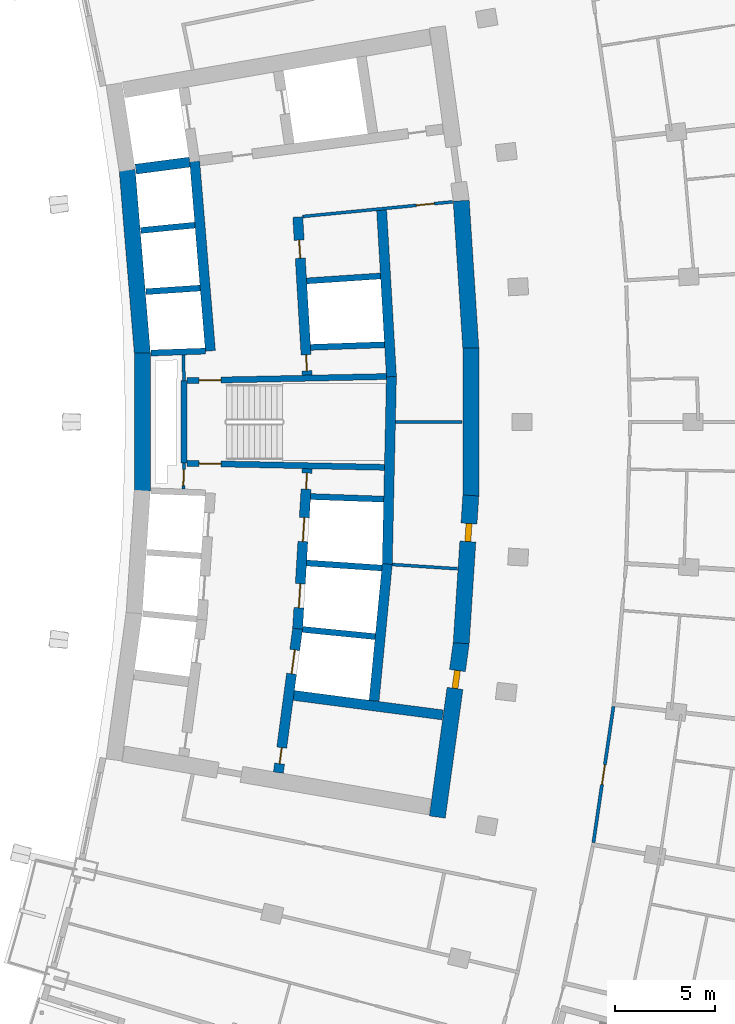
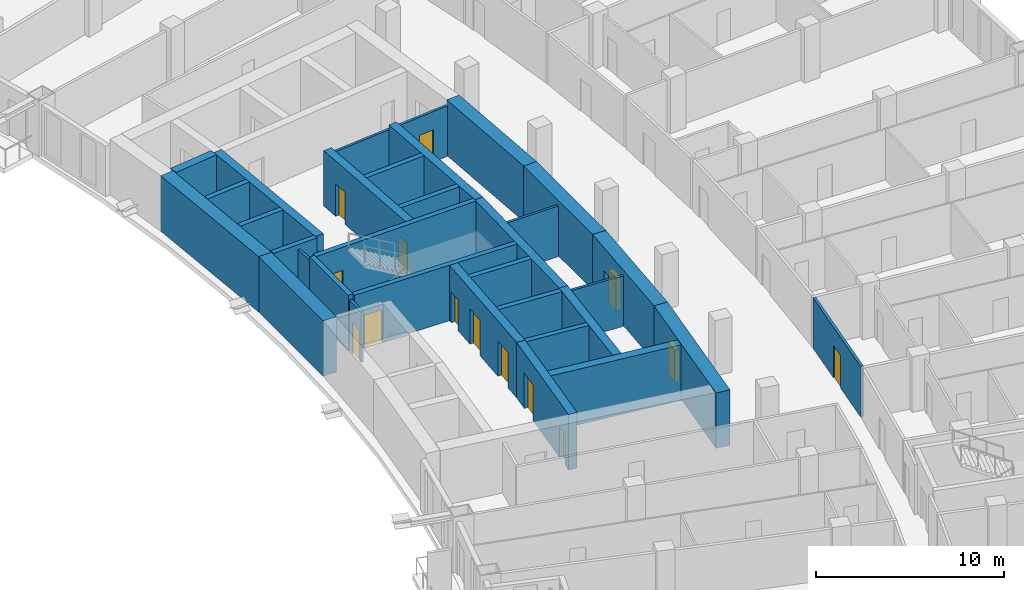
# One storey, part 13 of 23: 32 walls, 14 doors, 14 openings.
"""IFC4 building model written with IfcOpenShell, lengths in metres."""

from ifc_helpers import new_model, si_unit, direction, frame, frame_2d, origin, place, context, subcontext, project, spatial, rectangle, extrude, material, layer, layer_set, type_object, element, fill, save


model = new_model("IFC4")

# Units and contexts
model_context = context("Model", 3, precision=1e-05, world=origin(), true_north=direction((0.0, 1.0)))
body_context = subcontext(model_context, "Body", "Model", "MODEL_VIEW")
ifc_project = project(units=[si_unit("LENGTHUNIT", "METRE"), si_unit("AREAUNIT", "SQUARE_METRE"), si_unit("VOLUMEUNIT", "CUBIC_METRE"), si_unit("PLANEANGLEUNIT", "RADIAN"), si_unit("MASSUNIT", "GRAM", prefix="KILO")], contexts=[model_context])

# Site, building, storey
site_placement = place(None, origin())
site = spatial("IfcSite", under=ifc_project, at=site_placement, CompositionType="ELEMENT")
building_placement = place(site_placement, origin())
building = spatial("IfcBuilding", under=site, at=building_placement, Name="Alderwake Tower", CompositionType="ELEMENT")
storey_placement = place(building_placement, frame((0.0, 0.0, 100.39990234375)))
storey = spatial("IfcBuildingStorey", under=building, at=storey_placement, Name="L24", CompositionType="ELEMENT", Elevation=100.39990234375)

# Wall, opening, door
ifc_material_1 = material(Name="Gypsum shaft wall system, rated")
ifc_layer_1 = layer(ifc_material_1, 0.14990234375)
ifc_layer_set_1 = layer_set([ifc_layer_1], Name="Core room partition 150")
wall_type_1 = type_object("IfcWallType", Name="Core room partition 150", PredefinedType="PARTITIONING", material=ifc_layer_set_1)
wall_1_placement = place(storey_placement, frame((18.918701171875, 58.94384765625, 0.0), z_axis=(0.0, 0.0, 1.0), x_axis=(-0.027348257573, -0.999625966453, 0.0)))
wall_1 = element("IfcWall", 1, at=wall_1_placement, inside=storey, type_object=wall_type_1, Name="CW/L24/PA+24_-37", PredefinedType="PARTITIONING", context=body_context, shape_type="SweptSolid", body=[
    extrude(rectangle(XDim=1.29443359375, YDim=0.14990234375, at=frame_2d((0.647216796875, 0.0))), origin(), (0.0, 0.0, 1.0), 3.280029296875),
])
opening_1_placement = place(wall_1_placement, frame((0.322998046875, 0.0, 0.0)))
opening_1 = element("IfcOpeningElement", 2, at=opening_1_placement, cuts=wall_1, Name="Opening C004", PredefinedType="OPENING", context=body_context, shape_type="SweptSolid", body=[
    extrude(rectangle(XDim=0.800048828125, YDim=2.0, at=frame_2d((0.39990234375, 1.0))), frame((0.0, 0.0849609375, 0.0), z_axis=(0.0, -1.0, 0.0), x_axis=(1.0, 0.0, 0.0)), (0.0, 0.0, 1.0), 0.169921875),
])
ifc_material_2 = material(Name="Painted steel leaf, rated", Category="steel")
door_type_1 = type_object("IfcDoorType", Name="Riser access door 800", OperationType="SINGLE_SWING_LEFT", PredefinedType="DOOR", material=ifc_material_2)
door_1_placement = place(opening_1_placement, origin())
door_1 = element("IfcDoor", 3, at=door_1_placement, inside=storey, type_object=door_type_1, Name="Riser access door", OperationType="SINGLE_SWING_RIGHT", OverallHeight=2.0, OverallWidth=0.800048828125, PredefinedType="DOOR", context=body_context, shape_type="SweptSolid", body=[
    extrude(rectangle(XDim=0.800048828125, YDim=2.0, at=frame_2d((0.39990234375, 1.0))), frame((0.0, 0.02490234375, 0.0), z_axis=(0.0, -1.0, 0.0), x_axis=(1.0, 0.0, 0.0)), (0.0, 0.0, 1.0), 0.050048828125),
])
fill(opening_1, door_1)

# Walls
wall_2_placement = place(storey_placement, frame((18.918701171875, 63.05517578125, 0.0), z_axis=(0.0, 0.0, 1.0), x_axis=(-0.027327648352, 0.999626530078, 0.0)))
element("IfcWall", 4, at=wall_2_placement, inside=storey, type_object=wall_type_1, Name="CW/L24/PA+24_+22", PredefinedType="PARTITIONING", context=body_context, shape_type="SweptSolid", body=[
    extrude(rectangle(XDim=1.29541015625, YDim=0.14990234375, at=frame_2d((0.647705078125, 0.0))), origin(), (0.0, 0.0, 1.0), 3.280029296875),
])
wall_3_placement = place(storey_placement, frame((29.318603515625, 53.88134765625, 0.0), z_axis=(0.0, 0.0, 1.0), x_axis=(0.997885072108, -0.065002945035, 0.0)))
element("IfcWall", 5, at=wall_3_placement, inside=storey, type_object=wall_type_1, Name="CW/L24/PR-68_+128", PredefinedType="PARTITIONING", context=body_context, shape_type="SweptSolid", body=[
    extrude(rectangle(XDim=3.260009765625, YDim=0.14990234375, at=frame_2d((1.6298828125, 0.0))), origin(), (0.0, 0.0, 1.0), 3.280029296875),
])
wall_4_placement = place(storey_placement, frame((29.47607421875, 61.0, 0.0), z_axis=(0.0, 0.0, 1.0), x_axis=(1.0, 0.0, 0.0)))
element("IfcWall", 6, at=wall_4_placement, inside=storey, type_object=wall_type_1, Name="CW/L24/PR+0_+128", PredefinedType="PARTITIONING", context=body_context, shape_type="SweptSolid", body=[
    extrude(rectangle(XDim=3.333984375, YDim=0.14990234375, at=frame_2d((1.6669921875, 0.0))), origin(), (0.0, 0.0, 1.0), 3.280029296875),
])

# Wall, opening, door
wall_5_placement = place(storey_placement, frame((32.333251953125, 71.991943359375, 0.0), z_axis=(0.0, 0.0, 1.0), x_axis=(-0.995248348328, -0.097369015353, 0.0)))
wall_5 = element("IfcWall", 7, at=wall_5_placement, inside=storey, type_object=wall_type_1, Name="CW/L24/PR+102_+86", PredefinedType="PARTITIONING", context=body_context, shape_type="SweptSolid", body=[
    extrude(rectangle(XDim=7.51953125, YDim=0.14990234375, at=frame_2d((3.759765625, 0.0))), origin(), (0.0, 0.0, 1.0), 3.280029296875),
])
opening_2_placement = place(wall_5_placement, frame((0.919921875, 0.0, 0.0)))
opening_2 = element("IfcOpeningElement", 8, at=opening_2_placement, cuts=wall_5, Name="Opening C032", PredefinedType="OPENING", context=body_context, shape_type="SweptSolid", body=[
    extrude(rectangle(XDim=0.89990234375, YDim=2.10009765625, at=frame_2d((0.449951171875, 1.050048828125))), frame((0.0, 0.0849609375, 0.0), z_axis=(0.0, -1.0, 0.0), x_axis=(1.0, 0.0, 0.0)), (0.0, 0.0, 1.0), 0.169921875),
])
ifc_material_3 = material(Name="Painted steel leaf", Category="steel")
door_type_2 = type_object("IfcDoorType", Name="Core room door 900", OperationType="SINGLE_SWING_LEFT", PredefinedType="DOOR", material=ifc_material_3)
door_2_placement = place(opening_2_placement, origin())
door_2 = element("IfcDoor", 9, at=door_2_placement, inside=storey, type_object=door_type_2, Name="Room door", OperationType="SINGLE_SWING_RIGHT", OverallHeight=2.10009765625, OverallWidth=0.89990234375, PredefinedType="DOOR", context=body_context, shape_type="SweptSolid", body=[
    extrude(rectangle(XDim=0.89990234375, YDim=2.10009765625, at=frame_2d((0.449951171875, 1.050048828125))), frame((0.0, 0.02490234375, 0.0), z_axis=(0.0, -1.0, 0.0), x_axis=(1.0, 0.0, 0.0)), (0.0, 0.0, 1.0), 0.050048828125),
])
fill(opening_2, door_2)

# Walls
ifc_material_4 = material(Name="Concrete C70/85", Category="concrete")
ifc_layer_2 = layer(ifc_material_4, 0.800048828125)
ifc_layer_set_2 = layer_set([ifc_layer_2], Name="Core wall outer 800 C70-85")
wall_type_2 = type_object("IfcWallType", Name="Core wall outer 800 C70-85", PredefinedType="SHEAR", material=ifc_layer_set_2)
wall_6_placement = place(storey_placement, frame((16.83935546875, 57.558349609375, 0.0), z_axis=(0.0, 0.0, 1.0), x_axis=(0.0, 1.0, 0.0)))
element("IfcWall", 10, at=wall_6_placement, inside=storey, type_object=wall_type_2, Name="Core wall CW.043", PredefinedType="SHEAR", context=body_context, shape_type="SweptSolid", body=[
    extrude(rectangle(XDim=6.886474609375, YDim=0.800048828125, at=frame_2d((3.443359375, 0.0))), origin(), (0.0, 0.0, 1.0), 3.60009765625),
])
wall_7_placement = place(storey_placement, frame((16.8408203125, 64.410888671875, 0.0), z_axis=(0.0, 0.0, 1.0), x_axis=(-0.082619502339, 0.996581164699, 0.0)))
element("IfcWall", 11, at=wall_7_placement, inside=storey, type_object=wall_type_2, Name="Core wall CW.040", PredefinedType="SHEAR", context=body_context, shape_type="SweptSolid", body=[
    extrude(rectangle(XDim=9.201904296875, YDim=0.800048828125, at=frame_2d((4.60107421875, 0.0))), origin(), (0.0, 0.0, 1.0), 3.60009765625),
])

# Wall, opening, door
wall_8_placement = place(storey_placement, frame((32.763427734375, 49.980712890625, 0.0), z_axis=(0.0, 0.0, 1.0), x_axis=(-0.135838347444, -0.990731014637, 0.0)))
wall_8 = element("IfcWall", 12, at=wall_8_placement, inside=storey, type_object=wall_type_2, Name="Core wall CW.012", PredefinedType="SHEAR", context=body_context, shape_type="SweptSolid", body=[
    extrude(rectangle(XDim=8.788818359375, YDim=0.800048828125, at=frame_2d((4.39453125, 0.0))), origin(), (0.0, 0.0, 1.0), 3.60009765625),
])
opening_3_placement = place(wall_8_placement, frame((1.40576171875, 0.0, 0.0)))
opening_3 = element("IfcOpeningElement", 13, at=opening_3_placement, cuts=wall_8, Name="Opening C049", PredefinedType="OPENING", context=body_context, shape_type="SweptSolid", body=[
    extrude(rectangle(XDim=0.89990234375, YDim=2.10009765625, at=frame_2d((0.449951171875, 1.050048828125))), frame((0.0, 0.409912109375, 0.0), z_axis=(0.0, -1.0, 0.0), x_axis=(1.0, 0.0, 0.0)), (0.0, 0.0, 1.0), 0.820068359375),
])
door_3_placement = place(opening_3_placement, origin())
door_3 = element("IfcDoor", 14, at=door_3_placement, inside=storey, type_object=door_type_2, Name="Room door", OperationType="SINGLE_SWING_LEFT", OverallHeight=2.10009765625, OverallWidth=0.89990234375, PredefinedType="DOOR", context=body_context, shape_type="SweptSolid", body=[
    extrude(rectangle(XDim=0.89990234375, YDim=2.10009765625, at=frame_2d((0.449951171875, 1.050048828125))), frame((0.0, 0.14990234375, 0.0), z_axis=(0.0, -1.0, 0.0), x_axis=(1.0, 0.0, 0.0)), (0.0, 0.0, 1.0), 0.300048828125),
])
fill(opening_3, door_3)

wall_9_placement = place(storey_placement, frame((33.240966796875, 57.330322265625, 0.0), z_axis=(0.0, 0.0, 1.0), x_axis=(-0.064976219143, -0.997886812693, 0.0)))
wall_9 = element("IfcWall", 15, at=wall_9_placement, inside=storey, type_object=wall_type_2, Name="Core wall CW.011", PredefinedType="SHEAR", context=body_context, shape_type="SweptSolid", body=[
    extrude(rectangle(XDim=7.39453125, YDim=0.800048828125, at=frame_2d((3.697265625, 0.0))), origin(), (0.0, 0.0, 1.0), 3.60009765625),
])
opening_4_placement = place(wall_9_placement, frame((1.40478515625, 0.0, 0.0)))
opening_4 = element("IfcOpeningElement", 16, at=opening_4_placement, cuts=wall_9, Name="Opening C028", PredefinedType="OPENING", context=body_context, shape_type="SweptSolid", body=[
    extrude(rectangle(XDim=0.89990234375, YDim=2.10009765625, at=frame_2d((0.449951171875, 1.050048828125))), frame((0.0, 0.409912109375, 0.0), z_axis=(0.0, -1.0, 0.0), x_axis=(1.0, 0.0, 0.0)), (0.0, 0.0, 1.0), 0.820068359375),
])
door_4_placement = place(opening_4_placement, origin())
door_4 = element("IfcDoor", 17, at=door_4_placement, inside=storey, type_object=door_type_2, Name="Room door", OperationType="SINGLE_SWING_LEFT", OverallHeight=2.10009765625, OverallWidth=0.89990234375, PredefinedType="DOOR", context=body_context, shape_type="SweptSolid", body=[
    extrude(rectangle(XDim=0.89990234375, YDim=2.10009765625, at=frame_2d((0.449951171875, 1.050048828125))), frame((0.0, 0.14990234375, 0.0), z_axis=(0.0, -1.0, 0.0), x_axis=(1.0, 0.0, 0.0)), (0.0, 0.0, 1.0), 0.300048828125),
])
fill(opening_4, door_4)

# Walls
wall_10_placement = place(storey_placement, frame((33.239990234375, 57.30322265625, 0.0), z_axis=(0.0, 0.0, 1.0), x_axis=(0.0, 1.0, 0.0)))
element("IfcWall", 18, at=wall_10_placement, inside=storey, type_object=wall_type_2, Name="Core wall CW.013", PredefinedType="SHEAR", context=body_context, shape_type="SweptSolid", body=[
    extrude(rectangle(XDim=7.3935546875, YDim=0.800048828125, at=frame_2d((3.69677734375, 0.0))), origin(), (0.0, 0.0, 1.0), 3.60009765625),
])
wall_11_placement = place(storey_placement, frame((33.240966796875, 64.669677734375, 0.0), z_axis=(0.0, 0.0, 1.0), x_axis=(-0.064976219143, 0.997886812693, 0.0)))
element("IfcWall", 19, at=wall_11_placement, inside=storey, type_object=wall_type_2, Name="Core wall CW.010", PredefinedType="SHEAR", context=body_context, shape_type="SweptSolid", body=[
    extrude(rectangle(XDim=7.39453125, YDim=0.800048828125, at=frame_2d((3.697265625, 0.0))), origin(), (0.0, 0.0, 1.0), 3.60009765625),
])
ifc_material_5 = material(Name="Concrete C70/85", Category="concrete")
ifc_layer_3 = layer(ifc_material_5, 0.300048828125)
ifc_layer_set_3 = layer_set([ifc_layer_3], Name="Core wall shaft 300 C70-85")
wall_type_3 = type_object("IfcWallType", Name="Core wall shaft 300 C70-85", PredefinedType="SHEAR", material=ifc_layer_set_3)
wall_12_placement = place(storey_placement, frame((24.839599609375, 50.64013671875, 0.0), z_axis=(0.0, 0.0, 1.0), x_axis=(0.995151214483, -0.098356801055, 0.0)))
element("IfcWall", 20, at=wall_12_placement, inside=storey, type_object=wall_type_3, Name="Core wall CW.066", PredefinedType="SHEAR", context=body_context, shape_type="SweptSolid", body=[
    extrude(rectangle(XDim=3.646240234375, YDim=0.300048828125, at=frame_2d((1.8232421875, 0.0))), origin(), (0.0, 0.0, 1.0), 3.60009765625),
])
wall_13_placement = place(storey_placement, frame((25.0400390625, 53.9580078125, 0.0), z_axis=(0.0, 0.0, 1.0), x_axis=(0.997761584708, -0.06687166875, 0.0)))
element("IfcWall", 21, at=wall_13_placement, inside=storey, type_object=wall_type_3, Name="Core wall CW.080", PredefinedType="SHEAR", context=body_context, shape_type="SweptSolid", body=[
    extrude(rectangle(XDim=3.767822265625, YDim=0.300048828125, at=frame_2d((1.8837890625, 0.0))), origin(), (0.0, 0.0, 1.0), 3.60009765625),
])
wall_14_placement = place(storey_placement, frame((25.240478515625, 57.27490234375, 0.0), z_axis=(0.0, 0.0, 1.0), x_axis=(0.9993723549, -0.035424514988, 0.0)))
element("IfcWall", 22, at=wall_14_placement, inside=storey, type_object=wall_type_3, Name="Core wall CW.077", PredefinedType="SHEAR", context=body_context, shape_type="SweptSolid", body=[
    extrude(rectangle(XDim=3.652587890625, YDim=0.300048828125, at=frame_2d((1.826171875, 0.0))), origin(), (0.0, 0.0, 1.0), 3.60009765625),
])
wall_15_placement = place(storey_placement, frame((17.269287109375, 64.443115234375, 0.0), z_axis=(0.0, 0.0, 1.0), x_axis=(0.999374239339, 0.03537131246, 0.0)))
element("IfcWall", 23, at=wall_15_placement, inside=storey, type_object=wall_type_3, Name="Core wall CW.059", PredefinedType="SHEAR", context=body_context, shape_type="SweptSolid", body=[
    extrude(rectangle(XDim=2.719482421875, YDim=0.300048828125, at=frame_2d((1.35986328125, 0.0))), origin(), (0.0, 0.0, 1.0), 3.60009765625),
])
wall_16_placement = place(storey_placement, frame((25.2412109375, 64.725341796875, 0.0), z_axis=(0.0, 0.0, 1.0), x_axis=(0.999374587701, 0.035361468546, 0.0)))
element("IfcWall", 24, at=wall_16_placement, inside=storey, type_object=wall_type_3, Name="Core wall CW.060", PredefinedType="SHEAR", context=body_context, shape_type="SweptSolid", body=[
    extrude(rectangle(XDim=3.693603515625, YDim=0.300048828125, at=frame_2d((1.8466796875, 0.0))), origin(), (0.0, 0.0, 1.0), 3.60009765625),
])
wall_17_placement = place(storey_placement, frame((17.015869140625, 67.50390625, 0.0), z_axis=(0.0, 0.0, 1.0), x_axis=(0.997756033475, 0.066954444689, 0.0)))
element("IfcWall", 25, at=wall_17_placement, inside=storey, type_object=wall_type_3, Name="Core wall CW.062", PredefinedType="SHEAR", context=body_context, shape_type="SweptSolid", body=[
    extrude(rectangle(XDim=2.716552734375, YDim=0.300048828125, at=frame_2d((1.3583984375, 0.0))), origin(), (0.0, 0.0, 1.0), 3.60009765625),
])
wall_18_placement = place(storey_placement, frame((25.042236328125, 68.0419921875, 0.0), z_axis=(0.0, 0.0, 1.0), x_axis=(0.997759366198, 0.066904761896, 0.0)))
element("IfcWall", 26, at=wall_18_placement, inside=storey, type_object=wall_type_3, Name="Core wall CW.063", PredefinedType="SHEAR", context=body_context, shape_type="SweptSolid", body=[
    extrude(rectangle(XDim=3.696533203125, YDim=0.300048828125, at=frame_2d((1.84814453125, 0.0))), origin(), (0.0, 0.0, 1.0), 3.60009765625),
])
wall_19_placement = place(storey_placement, frame((16.76220703125, 70.561767578125, 0.0), z_axis=(0.0, 0.0, 1.0), x_axis=(0.995154832978, 0.098320183083, 0.0)))
element("IfcWall", 27, at=wall_19_placement, inside=storey, type_object=wall_type_3, Name="Core wall CW.050", PredefinedType="SHEAR", context=body_context, shape_type="SweptSolid", body=[
    extrude(rectangle(XDim=2.716552734375, YDim=0.300048828125, at=frame_2d((1.3583984375, 0.0))), origin(), (0.0, 0.0, 1.0), 3.60009765625),
])
ifc_material_6 = material(Name="Concrete C70/85", Category="concrete")
ifc_layer_4 = layer(ifc_material_6, 0.5)
ifc_layer_set_4 = layer_set([ifc_layer_4], Name="Core wall spine 500 C70-85")
wall_type_4 = type_object("IfcWallType", Name="Core wall spine 500 C70-85", PredefinedType="SHEAR", material=ifc_layer_set_4)
wall_20_placement = place(storey_placement, frame((20.2373046875, 64.548095703125, 0.0), z_axis=(0.0, 0.0, 1.0), x_axis=(-0.082641410547, 0.996579348202, 0.0)))
element("IfcWall", 28, at=wall_20_placement, inside=storey, type_object=wall_type_4, Name="Core wall CW.031", PredefinedType="SHEAR", context=body_context, shape_type="SweptSolid", body=[
    extrude(rectangle(XDim=9.500732421875, YDim=0.5, at=frame_2d((4.75048828125, 0.0))), origin(), (0.0, 0.0, 1.0), 3.60009765625),
])

# Wall, openings, doors
wall_21_placement = place(storey_placement, frame((23.631103515625, 43.489501953125, 0.0), z_axis=(0.0, 0.0, 1.0), x_axis=(0.132532135635, 0.991178708924, 0.0)))
wall_21 = element("IfcWall", 29, at=wall_21_placement, inside=storey, type_object=wall_type_4, Name="Core wall CW.047", PredefinedType="SHEAR", context=body_context, shape_type="SweptSolid", body=[
    extrude(rectangle(XDim=7.248779296875, YDim=0.5, at=frame_2d((3.62451171875, 0.0))), origin(), (0.0, 0.0, 1.0), 3.60009765625),
])
opening_5_placement = place(wall_21_placement, frame((4.981201171875, 0.0, 0.0)))
opening_5 = element("IfcOpeningElement", 30, at=opening_5_placement, cuts=wall_21, Name="Opening LD-LP4", PredefinedType="OPENING", context=body_context, shape_type="SweptSolid", body=[
    extrude(rectangle(XDim=1.199951171875, YDim=2.300048828125, at=frame_2d((0.60009765625, 1.14990234375))), frame((0.0, 0.260009765625, 0.0), z_axis=(0.0, -1.0, 0.0), x_axis=(1.0, 0.0, 0.0)), (0.0, 0.0, 1.0), 0.52001953125),
])
opening_6_placement = place(wall_21_placement, frame((0.4580078125, 0.0, 0.0)))
opening_6 = element("IfcOpeningElement", 31, at=opening_6_placement, cuts=wall_21, Name="Opening C014", PredefinedType="OPENING", context=body_context, shape_type="SweptSolid", body=[
    extrude(rectangle(XDim=0.800048828125, YDim=2.0, at=frame_2d((0.39990234375, 1.0))), frame((0.0, 0.260009765625, 0.0), z_axis=(0.0, -1.0, 0.0), x_axis=(1.0, 0.0, 0.0)), (0.0, 0.0, 1.0), 0.52001953125),
])
ifc_material_7 = material(Name="Stainless steel sliding leaf", Category="steel")
door_type_3 = type_object("IfcDoorType", Name="Lift landing door 1200", OperationType="SLIDING_TO_LEFT", PredefinedType="DOOR", material=ifc_material_7)
door_5_placement = place(opening_5_placement, origin())
door_5 = element("IfcDoor", 32, at=door_5_placement, inside=storey, type_object=door_type_3, Name="Lift landing door LP4", OperationType="SLIDING_TO_LEFT", OverallHeight=2.300048828125, OverallWidth=1.199951171875, PredefinedType="DOOR", context=body_context, shape_type="SweptSolid", body=[
    extrude(rectangle(XDim=1.199951171875, YDim=2.300048828125, at=frame_2d((0.60009765625, 1.14990234375))), frame((0.0, 0.02490234375, 0.0), z_axis=(0.0, -1.0, 0.0), x_axis=(1.0, 0.0, 0.0)), (0.0, 0.0, 1.0), 0.050048828125),
])
fill(opening_5, door_5)
door_6_placement = place(opening_6_placement, origin())
door_6 = element("IfcDoor", 33, at=door_6_placement, inside=storey, type_object=door_type_1, Name="Riser access door", OperationType="SINGLE_SWING_RIGHT", OverallHeight=2.0, OverallWidth=0.800048828125, PredefinedType="DOOR", context=body_context, shape_type="SweptSolid", body=[
    extrude(rectangle(XDim=0.800048828125, YDim=2.0, at=frame_2d((0.39990234375, 1.0))), frame((0.0, 0.02490234375, 0.0), z_axis=(0.0, -1.0, 0.0), x_axis=(1.0, 0.0, 0.0)), (0.0, 0.0, 1.0), 0.050048828125),
])
fill(opening_6, door_6)

wall_22_placement = place(storey_placement, frame((24.590087890625, 50.655029296875, 0.0), z_axis=(0.0, 0.0, 1.0), x_axis=(0.060305817737, 0.998179947879, 0.0)))
wall_22 = element("IfcWall", 34, at=wall_22_placement, inside=storey, type_object=wall_type_4, Name="Core wall CW.046", PredefinedType="SHEAR", context=body_context, shape_type="SweptSolid", body=[
    extrude(rectangle(XDim=8.02392578125, YDim=0.5, at=frame_2d((4.011962890625, 0.0))), origin(), (0.0, 0.0, 1.0), 3.60009765625),
])
opening_7_placement = place(wall_22_placement, frame((1.067138671875, 0.0, 0.0)))
opening_7 = element("IfcOpeningElement", 35, at=opening_7_placement, cuts=wall_22, Name="Opening LD-LP5", PredefinedType="OPENING", context=body_context, shape_type="SweptSolid", body=[
    extrude(rectangle(XDim=1.199951171875, YDim=2.300048828125, at=frame_2d((0.60009765625, 1.14990234375))), frame((0.0, 0.260009765625, 0.0), z_axis=(0.0, -1.0, 0.0), x_axis=(1.0, 0.0, 0.0)), (0.0, 0.0, 1.0), 0.52001953125),
])
opening_8_placement = place(wall_22_placement, frame((4.383544921875, 0.0, 0.0)))
opening_8 = element("IfcOpeningElement", 36, at=opening_8_placement, cuts=wall_22, Name="Opening LD-LP6", PredefinedType="OPENING", context=body_context, shape_type="SweptSolid", body=[
    extrude(rectangle(XDim=1.199951171875, YDim=2.300048828125, at=frame_2d((0.60009765625, 1.14990234375))), frame((0.0, 0.260009765625, 0.0), z_axis=(0.0, -1.0, 0.0), x_axis=(1.0, 0.0, 0.0)), (0.0, 0.0, 1.0), 0.52001953125),
])
opening_9_placement = place(wall_22_placement, frame((7.0078125, 0.0, 0.0)))
opening_9 = element("IfcOpeningElement", 37, at=opening_9_placement, cuts=wall_22, Name="Opening C006", PredefinedType="OPENING", context=body_context, shape_type="SweptSolid", body=[
    extrude(rectangle(XDim=0.800048828125, YDim=2.0, at=frame_2d((0.39990234375, 1.0))), frame((0.0, 0.260009765625, 0.0), z_axis=(0.0, -1.0, 0.0), x_axis=(1.0, 0.0, 0.0)), (0.0, 0.0, 1.0), 0.52001953125),
])
door_7_placement = place(opening_7_placement, origin())
door_7 = element("IfcDoor", 38, at=door_7_placement, inside=storey, type_object=door_type_3, Name="Lift landing door LP5", OperationType="SLIDING_TO_LEFT", OverallHeight=2.300048828125, OverallWidth=1.199951171875, PredefinedType="DOOR", context=body_context, shape_type="SweptSolid", body=[
    extrude(rectangle(XDim=1.199951171875, YDim=2.300048828125, at=frame_2d((0.60009765625, 1.14990234375))), frame((0.0, 0.02490234375, 0.0), z_axis=(0.0, -1.0, 0.0), x_axis=(1.0, 0.0, 0.0)), (0.0, 0.0, 1.0), 0.050048828125),
])
fill(opening_7, door_7)
door_8_placement = place(opening_8_placement, origin())
door_8 = element("IfcDoor", 39, at=door_8_placement, inside=storey, type_object=door_type_3, Name="Lift landing door LP6", OperationType="SLIDING_TO_LEFT", OverallHeight=2.300048828125, OverallWidth=1.199951171875, PredefinedType="DOOR", context=body_context, shape_type="SweptSolid", body=[
    extrude(rectangle(XDim=1.199951171875, YDim=2.300048828125, at=frame_2d((0.60009765625, 1.14990234375))), frame((0.0, 0.02490234375, 0.0), z_axis=(0.0, -1.0, 0.0), x_axis=(1.0, 0.0, 0.0)), (0.0, 0.0, 1.0), 0.050048828125),
])
fill(opening_8, door_8)
door_9_placement = place(opening_9_placement, origin())
door_9 = element("IfcDoor", 40, at=door_9_placement, inside=storey, type_object=door_type_1, Name="Riser access door", OperationType="SINGLE_SWING_RIGHT", OverallHeight=2.0, OverallWidth=0.800048828125, PredefinedType="DOOR", context=body_context, shape_type="SweptSolid", body=[
    extrude(rectangle(XDim=0.800048828125, YDim=2.0, at=frame_2d((0.39990234375, 1.0))), frame((0.0, 0.02490234375, 0.0), z_axis=(0.0, -1.0, 0.0), x_axis=(1.0, 0.0, 0.0)), (0.0, 0.0, 1.0), 0.050048828125),
])
fill(opening_9, door_9)

wall_23_placement = place(storey_placement, frame((25.073974609375, 63.335693359375, 0.0), z_axis=(0.0, 0.0, 1.0), x_axis=(-0.059848641072, 0.998207463487, 0.0)))
wall_23 = element("IfcWall", 41, at=wall_23_placement, inside=storey, type_object=wall_type_4, Name="Core wall CW.045", PredefinedType="SHEAR", context=body_context, shape_type="SweptSolid", body=[
    extrude(rectangle(XDim=7.913818359375, YDim=0.5, at=frame_2d((3.95703125, 0.0))), origin(), (0.0, 0.0, 1.0), 3.60009765625),
])
opening_10_placement = place(wall_23_placement, frame((0.216064453125, 0.0, 0.0)))
opening_10 = element("IfcOpeningElement", 42, at=opening_10_placement, cuts=wall_23, Name="Opening C005", PredefinedType="OPENING", context=body_context, shape_type="SweptSolid", body=[
    extrude(rectangle(XDim=0.800048828125, YDim=2.0, at=frame_2d((0.39990234375, 1.0))), frame((0.0, 0.260009765625, 0.0), z_axis=(0.0, -1.0, 0.0), x_axis=(1.0, 0.0, 0.0)), (0.0, 0.0, 1.0), 0.52001953125),
])
opening_11_placement = place(wall_23_placement, frame((5.856201171875, 0.0, 0.0)))
opening_11 = element("IfcOpeningElement", 43, at=opening_11_placement, cuts=wall_23, Name="Opening C023", PredefinedType="OPENING", context=body_context, shape_type="SweptSolid", body=[
    extrude(rectangle(XDim=0.89990234375, YDim=2.10009765625, at=frame_2d((0.449951171875, 1.050048828125))), frame((0.0, 0.260009765625, 0.0), z_axis=(0.0, -1.0, 0.0), x_axis=(1.0, 0.0, 0.0)), (0.0, 0.0, 1.0), 0.52001953125),
])
door_10_placement = place(opening_11_placement, origin())
door_10 = element("IfcDoor", 44, at=door_10_placement, inside=storey, type_object=door_type_2, Name="Room door", OperationType="SINGLE_SWING_RIGHT", OverallHeight=2.10009765625, OverallWidth=0.89990234375, PredefinedType="DOOR", context=body_context, shape_type="SweptSolid", body=[
    extrude(rectangle(XDim=0.89990234375, YDim=2.10009765625, at=frame_2d((0.449951171875, 1.050048828125))), frame((0.0, 0.02490234375, 0.0), z_axis=(0.0, -1.0, 0.0), x_axis=(1.0, 0.0, 0.0)), (0.0, 0.0, 1.0), 0.050048828125),
])
fill(opening_11, door_10)
door_11_placement = place(opening_10_placement, origin())
door_11 = element("IfcDoor", 45, at=door_11_placement, inside=storey, type_object=door_type_1, Name="Riser access door", OperationType="SINGLE_SWING_LEFT", OverallHeight=2.0, OverallWidth=0.800048828125, PredefinedType="DOOR", context=body_context, shape_type="SweptSolid", body=[
    extrude(rectangle(XDim=0.800048828125, YDim=2.0, at=frame_2d((0.39990234375, 1.0))), frame((0.0, 0.02490234375, 0.0), z_axis=(0.0, -1.0, 0.0), x_axis=(1.0, 0.0, 0.0)), (0.0, 0.0, 1.0), 0.050048828125),
])
fill(opening_10, door_11)

# Walls
wall_24_placement = place(storey_placement, frame((28.4091796875, 47.072998046875, 0.0), z_axis=(0.0, 0.0, 1.0), x_axis=(0.096218511654, 0.995360235299, 0.0)))
element("IfcWall", 46, at=wall_24_placement, inside=storey, type_object=wall_type_4, Name="Core wall CW.005", PredefinedType="SHEAR", context=body_context, shape_type="SweptSolid", body=[
    extrude(rectangle(XDim=6.865966796875, YDim=0.5, at=frame_2d((3.43310546875, 0.0))), origin(), (0.0, 0.0, 1.0), 3.60009765625),
])
wall_25_placement = place(storey_placement, frame((29.06884765625, 53.8876953125, 0.0), z_axis=(0.0, 0.0, 1.0), x_axis=(0.022106533109, 0.999755620736, 0.0)))
element("IfcWall", 47, at=wall_25_placement, inside=storey, type_object=wall_type_4, Name="Core wall CW.008", PredefinedType="SHEAR", context=body_context, shape_type="SweptSolid", body=[
    extrude(rectangle(XDim=9.398193359375, YDim=0.5, at=frame_2d((4.69921875, 0.0))), origin(), (0.0, 0.0, 1.0), 3.60009765625),
])
wall_26_placement = place(storey_placement, frame((29.277099609375, 63.2626953125, 0.0), z_axis=(0.0, 0.0, 1.0), x_axis=(-0.058825214895, 0.99826829765, 0.0)))
element("IfcWall", 48, at=wall_26_placement, inside=storey, type_object=wall_type_4, Name="Core wall CW.002", PredefinedType="SHEAR", context=body_context, shape_type="SweptSolid", body=[
    extrude(rectangle(XDim=8.3212890625, YDim=0.5, at=frame_2d((4.16064453125, 0.0))), origin(), (0.0, 0.0, 1.0), 3.60009765625),
])
wall_27_placement = place(storey_placement, frame((24.39892578125, 47.345458984375, 0.0), z_axis=(0.0, 0.0, 1.0), x_axis=(0.991552963207, -0.129702433116, 0.0)))
element("IfcWall", 49, at=wall_27_placement, inside=storey, type_object=wall_type_4, Name="Core wall CW.069", PredefinedType="SHEAR", context=body_context, shape_type="SweptSolid", body=[
    extrude(rectangle(XDim=7.4990234375, YDim=0.5, at=frame_2d((3.74951171875, 0.0))), origin(), (0.0, 0.0, 1.0), 3.60009765625),
])
wall_28_placement = place(storey_placement, frame((16.508544921875, 73.62255859375, 0.0), z_axis=(0.0, 0.0, 1.0), x_axis=(0.991548766325, 0.129734513522, 0.0)))
element("IfcWall", 50, at=wall_28_placement, inside=storey, type_object=wall_type_4, Name="Core wall CW.051", PredefinedType="SHEAR", context=body_context, shape_type="SweptSolid", body=[
    extrude(rectangle(XDim=2.71923828125, YDim=0.5, at=frame_2d((1.359619140625, 0.0))), origin(), (0.0, 0.0, 1.0), 3.60009765625),
])
ifc_material_8 = material(Name="Concrete C70/85", Category="concrete")
ifc_layer_5 = layer(ifc_material_8, 0.300048828125)
ifc_layer_set_5 = layer_set([ifc_layer_5], Name="Core wall stair enclosure 300 C70-85")
wall_type_5 = type_object("IfcWallType", Name="Core wall stair enclosure 300 C70-85", PredefinedType="SHEAR", material=ifc_layer_set_5)
wall_29_placement = place(storey_placement, frame((18.918701171875, 58.94091796875, 0.0), z_axis=(0.0, 0.0, 1.0), x_axis=(0.0, 1.0, 0.0)))
element("IfcWall", 51, at=wall_29_placement, inside=storey, type_object=wall_type_5, Name="Core wall CW.024", PredefinedType="SHEAR", context=body_context, shape_type="SweptSolid", body=[
    extrude(rectangle(XDim=4.119384765625, YDim=0.300048828125, at=frame_2d((2.0595703125, 0.0))), origin(), (0.0, 0.0, 1.0), 3.60009765625),
])

# Wall, opening, door
wall_30_placement = place(storey_placement, frame((28.92578125, 58.734130859375, 0.0), z_axis=(0.0, 0.0, 1.0), x_axis=(-0.999783647187, 0.02080045235, 0.0)))
wall_30 = element("IfcWall", 52, at=wall_30_placement, inside=storey, type_object=wall_type_5, Name="Core wall CW.074", PredefinedType="SHEAR", context=body_context, shape_type="SweptSolid", body=[
    extrude(rectangle(XDim=9.859375, YDim=0.300048828125, at=frame_2d((4.9296875, 0.0))), origin(), (0.0, 0.0, 1.0), 3.60009765625),
])
opening_12_placement = place(wall_30_placement, frame((8.159423828125, 0.0, 0.0)))
opening_12 = element("IfcOpeningElement", 53, at=opening_12_placement, cuts=wall_30, Name="Opening C063", PredefinedType="OPENING", context=body_context, shape_type="SweptSolid", body=[
    extrude(rectangle(XDim=1.10009765625, YDim=2.10009765625, at=frame_2d((0.550048828125, 1.050048828125))), frame((0.0, 0.159912109375, 0.0), z_axis=(0.0, -1.0, 0.0), x_axis=(1.0, 0.0, 0.0)), (0.0, 0.0, 1.0), 0.320068359375),
])
ifc_material_9 = material(Name="Steel-framed fire door leaf", Category="steel")
door_type_4 = type_object("IfcDoorType", Name="Core stair door 1100 fire-rated", OperationType="SINGLE_SWING_LEFT", PredefinedType="DOOR", material=ifc_material_9)
door_12_placement = place(opening_12_placement, origin())
door_12 = element("IfcDoor", 54, at=door_12_placement, inside=storey, type_object=door_type_4, Name="Stair door", OperationType="SINGLE_SWING_LEFT", OverallHeight=2.10009765625, OverallWidth=1.10009765625, PredefinedType="DOOR", context=body_context, shape_type="SweptSolid", body=[
    extrude(rectangle(XDim=1.10009765625, YDim=2.10009765625, at=frame_2d((0.550048828125, 1.050048828125))), frame((0.0, 0.02490234375, 0.0), z_axis=(0.0, -1.0, 0.0), x_axis=(1.0, 0.0, 0.0)), (0.0, 0.0, 1.0), 0.050048828125),
])
fill(opening_12, door_12)

wall_31_placement = place(storey_placement, frame((19.068603515625, 63.060791015625, 0.0), z_axis=(0.0, 0.0, 1.0), x_axis=(0.999783418156, 0.020811457903, 0.0)))
wall_31 = element("IfcWall", 55, at=wall_31_placement, inside=storey, type_object=wall_type_5, Name="Core wall CW.057", PredefinedType="SHEAR", context=body_context, shape_type="SweptSolid", body=[
    extrude(rectangle(XDim=9.959716796875, YDim=0.300048828125, at=frame_2d((4.97998046875, 0.0))), origin(), (0.0, 0.0, 1.0), 3.60009765625),
])
opening_13_placement = place(wall_31_placement, frame((0.60009765625, 0.0, 0.0)))
opening_13 = element("IfcOpeningElement", 56, at=opening_13_placement, cuts=wall_31, Name="Opening C064", PredefinedType="OPENING", context=body_context, shape_type="SweptSolid", body=[
    extrude(rectangle(XDim=1.10009765625, YDim=2.10009765625, at=frame_2d((0.550048828125, 1.050048828125))), frame((0.0, 0.159912109375, 0.0), z_axis=(0.0, -1.0, 0.0), x_axis=(1.0, 0.0, 0.0)), (0.0, 0.0, 1.0), 0.320068359375),
])
door_13_placement = place(opening_13_placement, origin())
door_13 = element("IfcDoor", 57, at=door_13_placement, inside=storey, type_object=door_type_4, Name="Stair door", OperationType="SINGLE_SWING_RIGHT", OverallHeight=2.10009765625, OverallWidth=1.10009765625, PredefinedType="DOOR", context=body_context, shape_type="SweptSolid", body=[
    extrude(rectangle(XDim=1.10009765625, YDim=2.10009765625, at=frame_2d((0.550048828125, 1.050048828125))), frame((0.0, 0.02490234375, 0.0), z_axis=(0.0, -1.0, 0.0), x_axis=(1.0, 0.0, 0.0)), (0.0, 0.0, 1.0), 0.050048828125),
])
fill(opening_13, door_13)

ifc_material_10 = material(Name="Gypsum board on metal studs, rated")
ifc_layer_6 = layer(ifc_material_10, 0.159912109375)
ifc_layer_set_6 = layer_set([ifc_layer_6], Name="Corridor wall 160")
wall_type_6 = type_object("IfcWallType", Name="Corridor wall 160", PredefinedType="PARTITIONING", material=ifc_layer_set_6)
wall_32_placement = place(storey_placement, frame((40.3623046875, 46.7939453125, 0.0), z_axis=(0.0, 0.0, 1.0), x_axis=(-0.1455042199, -0.989357630987, 0.0)))
wall_32 = element("IfcWall", 58, at=wall_32_placement, inside=storey, type_object=wall_type_6, Name="WL/L24/W37", PredefinedType="PARTITIONING", context=body_context, shape_type="SweptSolid", body=[
    extrude(rectangle(XDim=6.87109375, YDim=0.159912109375, at=frame_2d((3.435546875, 0.0))), origin(), (0.0, 0.0, 1.0), 3.280029296875),
])
opening_14_placement = place(wall_32_placement, frame((2.935546875, 0.0, 0.0)))
opening_14 = element("IfcOpeningElement", 59, at=opening_14_placement, cuts=wall_32, Name="Opening R06-U06.2", PredefinedType="OPENING", context=body_context, shape_type="SweptSolid", body=[
    extrude(rectangle(XDim=1.0, YDim=2.10009765625, at=frame_2d((0.5, 1.050048828125))), frame((0.0, 0.08984375, 0.0), z_axis=(0.0, -1.0, 0.0), x_axis=(1.0, 0.0, 0.0)), (0.0, 0.0, 1.0), 0.179931640625),
])
ifc_material_11 = material(Name="Solid timber leaf in steel frame", Category="steel")
door_type_5 = type_object("IfcDoorType", Name="Flat entrance door 1000 fire-rated", OperationType="SINGLE_SWING_LEFT", PredefinedType="DOOR", material=ifc_material_11)
door_14_placement = place(opening_14_placement, origin())
door_14 = element("IfcDoor", 60, at=door_14_placement, inside=storey, type_object=door_type_5, Name="DR/L24/U06.2", OperationType="SINGLE_SWING_LEFT", OverallHeight=2.10009765625, OverallWidth=1.0, PredefinedType="DOOR", context=body_context, shape_type="SweptSolid", body=[
    extrude(rectangle(XDim=1.0, YDim=2.10009765625, at=frame_2d((0.5, 1.050048828125))), frame((0.0, 0.02490234375, 0.0), z_axis=(0.0, -1.0, 0.0), x_axis=(1.0, 0.0, 0.0)), (0.0, 0.0, 1.0), 0.050048828125),
])
fill(opening_14, door_14)

save(model, "model.ifc")
